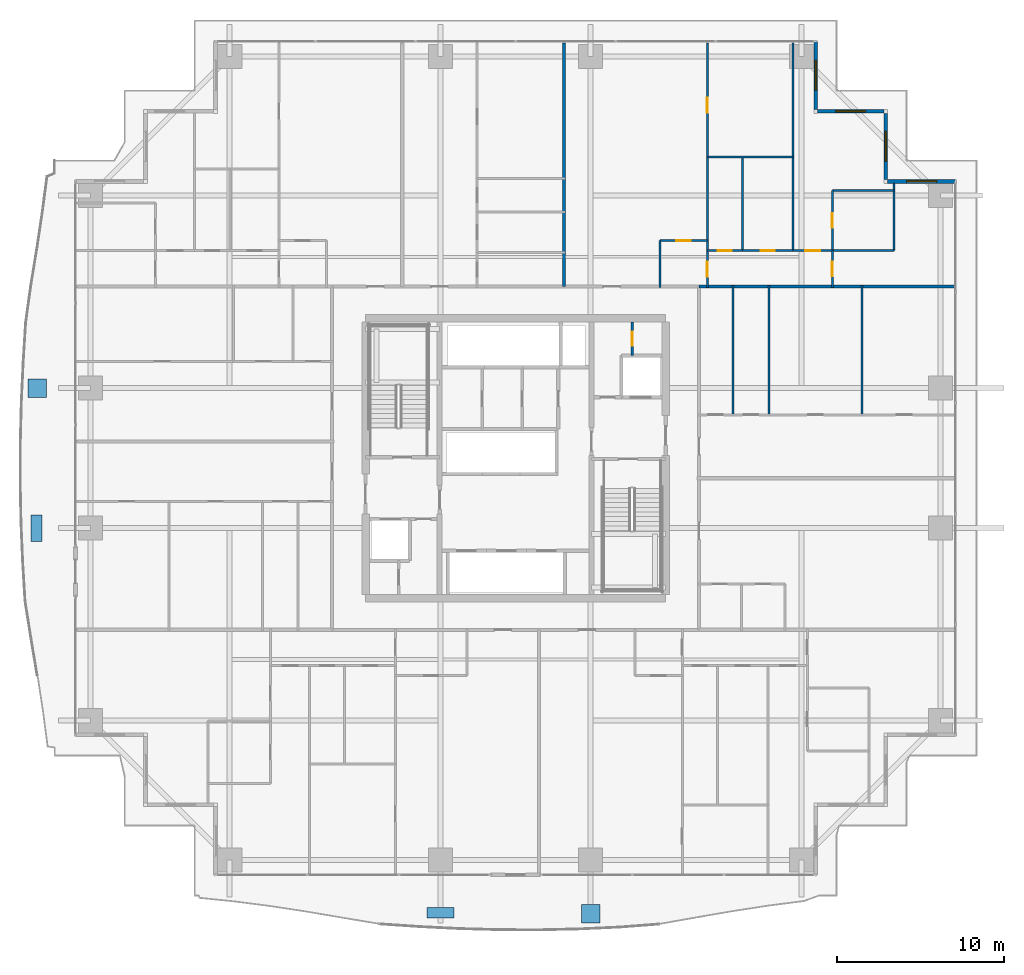
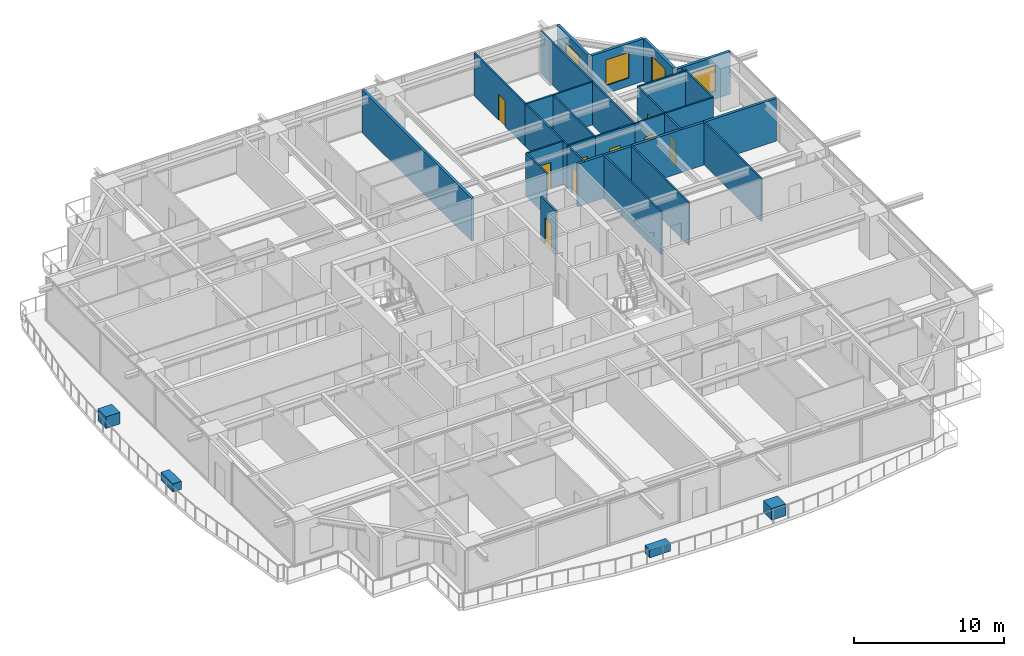
# One storey, part 31 of 39: 26 walls, 9 doors, 4 discrete accessories, 4 windows, 13 openings.
"""IFC4 building model written with IfcOpenShell, lengths in metres."""

from ifc_helpers import new_model, si_unit, direction, frame, frame_2d, origin, origin_2d, place, context, subcontext, project, spatial, rectangle, extrude, source, transform, mapped, material, layer, layer_set, type_object, element, fill, save


model = new_model("IFC4")

# Units and contexts
model_context = context("Model", 3, precision=1e-05, world=origin(), true_north=direction((0.0, 1.0)))
body_context = subcontext(model_context, "Body", "Model", "MODEL_VIEW")
ifc_project = project(units=[si_unit("LENGTHUNIT", "METRE"), si_unit("AREAUNIT", "SQUARE_METRE"), si_unit("VOLUMEUNIT", "CUBIC_METRE"), si_unit("PLANEANGLEUNIT", "RADIAN"), si_unit("MASSUNIT", "GRAM", prefix="KILO")], contexts=[model_context])

# Site, building, storey
site_placement = place(None, origin())
site = spatial("IfcSite", under=ifc_project, at=site_placement, CompositionType="ELEMENT")
building_placement = place(site_placement, origin())
building = spatial("IfcBuilding", under=site, at=building_placement, Name="Serunith Strait Residences", CompositionType="ELEMENT")
storey_placement = place(building_placement, frame((0.0, 0.0, 60.449951171875)))
storey = spatial("IfcBuildingStorey", under=building, at=storey_placement, Name="L14", CompositionType="ELEMENT", Elevation=60.449951171875)

# Wall, opening, window
ifc_material_1 = material(Name="Pale-Champagne Aluminium Insulated Panel", Category="aluminium")
ifc_layer_1 = layer(ifc_material_1, 0.219970703125, Name="Pale-Champagne Aluminium Insulated Panel")
ifc_layer_set_1 = layer_set([ifc_layer_1], Name="Pale-Champagne Aluminium Insulated Panel")
wall_type_1 = type_object("IfcWallType", Name="EW-ALUM-220", PredefinedType="ELEMENTEDWALL", material=ifc_layer_set_1)
wall_1_placement = place(storey_placement, frame((58.800048828125, 41.800048828125, 0.0), z_axis=(0.0, 0.0, 1.0), x_axis=(-1.0, 0.0, 0.0)))
wall_1 = element("IfcWall", 1, at=wall_1_placement, inside=storey, type_object=wall_type_1, Name="L14 Girih Serrated Corner Wall 07", PredefinedType="ELEMENTEDWALL", context=body_context, shape_type="SweptSolid", body=[
    extrude(rectangle(XDim=4.090087890625, YDim=0.219970703125, at=frame_2d((2.044921875, 0.0))), origin(), (0.0, 0.0, 1.0), 3.47509765625),
])
opening_1_placement = place(wall_1_placement, frame((1.14501953125, 0.0, 0.64990234375)))
opening_1 = element("IfcOpeningElement", 2, at=opening_1_placement, cuts=wall_1, Name="Opening W-01", PredefinedType="OPENING", context=body_context, shape_type="SweptSolid", body=[
    extrude(rectangle(XDim=1.800048828125, YDim=2.10009765625, at=frame_2d((0.89990234375, 1.050048828125))), frame((0.0, 0.1201171875, 0.0), z_axis=(0.0, -1.0, 0.0), x_axis=(1.0, 0.0, 0.0)), (0.0, 0.0, 1.0), 0.239990234375),
])
ifc_material_2 = material(Name="Ceramic-Fritted Operable Aluminium Window Glass", Category="aluminium")
window_type = type_object("IfcWindowType", Name="WIN-C1", PartitioningType="DOUBLE_PANEL_VERTICAL", PredefinedType="WINDOW", material=ifc_material_2)
shared_shape_1 = source(origin(), body_context, "Body", "SweptSolid", [
    extrude(rectangle(XDim=1.800048828125, YDim=2.10009765625, at=frame_2d((0.89990234375, 1.050048828125))), frame((0.0, 0.030029296875, 0.0), z_axis=(0.0, -1.0, 0.0), x_axis=(1.0, 0.0, 0.0)), (0.0, 0.0, 1.0), 0.06005859375),
])
window_1_placement = place(opening_1_placement, origin())
window_1 = element("IfcWindow", 3, at=window_1_placement, inside=storey, type_object=window_type, Name="L14 Corner Operable Fritted Window 07", OverallHeight=2.10009765625, OverallWidth=1.800048828125, PartitioningType="SINGLE_PANEL", PredefinedType="WINDOW", context=body_context, shape_type="MappedRepresentation", body=[
    mapped(shared_shape_1, transform((0.0, 0.0, 0.0), scale=1.0)),
])
fill(opening_1, window_1)

wall_2_placement = place(storey_placement, frame((54.60009765625, 41.909912109375, 0.0), z_axis=(0.0, 0.0, 1.0), x_axis=(0.0, 1.0, 0.0)))
wall_2 = element("IfcWall", 4, at=wall_2_placement, inside=storey, type_object=wall_type_1, Name="L14 Girih Serrated Corner Wall 08", PredefinedType="ELEMENTEDWALL", context=body_context, shape_type="SweptSolid", body=[
    extrude(rectangle(XDim=3.97998046875, YDim=0.219970703125, at=frame_2d((1.989990234375, 0.0))), origin(), (0.0, 0.0, 1.0), 3.47509765625),
])
opening_2_placement = place(wall_2_placement, frame((1.090087890625, 0.0, 0.64990234375)))
opening_2 = element("IfcOpeningElement", 5, at=opening_2_placement, cuts=wall_2, Name="Opening W-01", PredefinedType="OPENING", context=body_context, shape_type="SweptSolid", body=[
    extrude(rectangle(XDim=1.800048828125, YDim=2.10009765625, at=frame_2d((0.89990234375, 1.050048828125))), frame((0.0, 0.1201171875, 0.0), z_axis=(0.0, -1.0, 0.0), x_axis=(1.0, 0.0, 0.0)), (0.0, 0.0, 1.0), 0.239990234375),
])
window_2_placement = place(opening_2_placement, origin())
window_2 = element("IfcWindow", 6, at=window_2_placement, inside=storey, type_object=window_type, Name="L14 Corner Operable Fritted Window 08", OverallHeight=2.10009765625, OverallWidth=1.800048828125, PartitioningType="SINGLE_PANEL", PredefinedType="WINDOW", context=body_context, shape_type="MappedRepresentation", body=[
    mapped(shared_shape_1, transform((0.0, 0.0, 0.0), scale=1.0)),
])
fill(opening_2, window_2)

wall_3_placement = place(storey_placement, frame((54.489990234375, 46.0, 0.0), z_axis=(0.0, 0.0, 1.0), x_axis=(-1.0, 0.0, 0.0)))
wall_3 = element("IfcWall", 7, at=wall_3_placement, inside=storey, type_object=wall_type_1, Name="L14 Girih Serrated Corner Wall 09", PredefinedType="ELEMENTEDWALL", context=body_context, shape_type="SweptSolid", body=[
    extrude(rectangle(XDim=3.97998046875, YDim=0.219970703125, at=frame_2d((1.989990234375, 0.0))), origin(), (0.0, 0.0, 1.0), 3.47509765625),
])
opening_3_placement = place(wall_3_placement, frame((1.090087890625, 0.0, 0.64990234375)))
opening_3 = element("IfcOpeningElement", 8, at=opening_3_placement, cuts=wall_3, Name="Opening W-01", PredefinedType="OPENING", context=body_context, shape_type="SweptSolid", body=[
    extrude(rectangle(XDim=1.800048828125, YDim=2.10009765625, at=frame_2d((0.89990234375, 1.050048828125))), frame((0.0, 0.1201171875, 0.0), z_axis=(0.0, -1.0, 0.0), x_axis=(1.0, 0.0, 0.0)), (0.0, 0.0, 1.0), 0.239990234375),
])
window_3_placement = place(opening_3_placement, origin())
window_3 = element("IfcWindow", 9, at=window_3_placement, inside=storey, type_object=window_type, Name="L14 Corner Operable Fritted Window 09", OverallHeight=2.10009765625, OverallWidth=1.800048828125, PartitioningType="SINGLE_PANEL", PredefinedType="WINDOW", context=body_context, shape_type="MappedRepresentation", body=[
    mapped(shared_shape_1, transform((0.0, 0.0, 0.0), scale=1.0)),
])
fill(opening_3, window_3)

wall_4_placement = place(storey_placement, frame((50.39990234375, 46.110107421875, 0.0), z_axis=(0.0, 0.0, 1.0), x_axis=(0.0, 1.0, 0.0)))
wall_4 = element("IfcWall", 10, at=wall_4_placement, inside=storey, type_object=wall_type_1, Name="L14 Girih Serrated Corner Wall 10", PredefinedType="ELEMENTEDWALL", context=body_context, shape_type="SweptSolid", body=[
    extrude(rectangle(XDim=4.08984375, YDim=0.219970703125, at=frame_2d((2.044921875, 0.0))), origin(), (0.0, 0.0, 1.0), 3.47509765625),
])
opening_4_placement = place(wall_4_placement, frame((1.14501953125, 0.0, 0.64990234375)))
opening_4 = element("IfcOpeningElement", 11, at=opening_4_placement, cuts=wall_4, Name="Opening W-01", PredefinedType="OPENING", context=body_context, shape_type="SweptSolid", body=[
    extrude(rectangle(XDim=1.800048828125, YDim=2.10009765625, at=frame_2d((0.89990234375, 1.050048828125))), frame((0.0, 0.1201171875, 0.0), z_axis=(0.0, -1.0, 0.0), x_axis=(1.0, 0.0, 0.0)), (0.0, 0.0, 1.0), 0.239990234375),
])
window_4_placement = place(opening_4_placement, origin())
window_4 = element("IfcWindow", 12, at=window_4_placement, inside=storey, type_object=window_type, Name="L14 Corner Operable Fritted Window 10", OverallHeight=2.10009765625, OverallWidth=1.800048828125, PartitioningType="SINGLE_PANEL", PredefinedType="WINDOW", context=body_context, shape_type="MappedRepresentation", body=[
    mapped(shared_shape_1, transform((0.0, 0.0, 0.0), scale=1.0)),
])
fill(opening_4, window_4)

# Wall, opening, door
ifc_material_3 = material(Name="Fire-rated masonry service closet wall", Category="masonry")
ifc_layer_2 = layer(ifc_material_3, 0.14990234375, Name="Fire-rated masonry service closet wall")
ifc_layer_set_2 = layer_set([ifc_layer_2], Name="Fire-rated masonry service closet wall")
wall_type_2 = type_object("IfcWallType", Name="IW-BOH-150", PredefinedType="PARTITIONING", material=ifc_layer_set_2)
wall_5_placement = place(storey_placement, frame((39.39990234375, 31.35009765625, 0.0), z_axis=(0.0, 0.0, 1.0), x_axis=(0.0, 1.0, 0.0)))
wall_5 = element("IfcWall", 13, at=wall_5_placement, inside=storey, type_object=wall_type_2, Name="L14 Partition Wall 013", PredefinedType="PARTITIONING", context=body_context, shape_type="SweptSolid", body=[
    extrude(rectangle(XDim=2.02490234375, YDim=0.14990234375, at=frame_2d((1.012451171875, 0.0))), origin(), (0.0, 0.0, 1.0), 3.489990234375),
])
opening_5_placement = place(wall_5_placement, frame((0.5869140625, 0.0, 0.0)))
opening_5 = element("IfcOpeningElement", 14, at=opening_5_placement, cuts=wall_5, Name="Opening FD-850", PredefinedType="OPENING", context=body_context, shape_type="SweptSolid", body=[
    extrude(rectangle(XDim=0.85009765625, YDim=2.10009765625, at=frame_2d((0.425048828125, 1.050048828125))), frame((0.0, 0.0849609375, 0.0), z_axis=(0.0, -1.0, 0.0), x_axis=(1.0, 0.0, 0.0)), (0.0, 0.0, 1.0), 0.169921875),
])
ifc_material_4 = material(Name="Powder-coated steel service closet door", Category="steel")
door_type_1 = type_object("IfcDoorType", Name="FD-BOH-850", OperationType="NOTDEFINED", PredefinedType="DOOR", material=ifc_material_4)
shared_shape_2 = source(origin(), body_context, "Body", "SweptSolid", [
    extrude(rectangle(XDim=0.85009765625, YDim=2.10009765625, at=frame_2d((0.425048828125, 1.050048828125))), frame((0.0, 0.02490234375, 0.0), z_axis=(0.0, -1.0, 0.0), x_axis=(1.0, 0.0, 0.0)), (0.0, 0.0, 1.0), 0.050048828125),
])
door_1_placement = place(opening_5_placement, origin())
door_1 = element("IfcDoor", 15, at=door_1_placement, inside=storey, type_object=door_type_1, Name="L14 Janitor Store Door", OperationType="SINGLE_SWING_RIGHT", OverallHeight=2.10009765625, OverallWidth=0.85009765625, PredefinedType="DOOR", context=body_context, shape_type="MappedRepresentation", body=[
    mapped(shared_shape_2, transform((0.0, 0.0, 0.0), scale=1.0)),
])
fill(opening_5, door_1)

ifc_material_5 = material(Name="Lightweight steel-stud gypsum partition", Category="steel")
ifc_layer_3 = layer(ifc_material_5, 0.1201171875, Name="Lightweight steel-stud gypsum partition")
ifc_layer_set_3 = layer_set([ifc_layer_3], Name="Lightweight steel-stud gypsum partition")
wall_type_3 = type_object("IfcWallType", Name="IW-PART-120", PredefinedType="PARTITIONING", material=ifc_layer_set_3)
wall_6_placement = place(storey_placement, frame((41.050048828125, 38.25, 0.0), z_axis=(0.0, 0.0, 1.0), x_axis=(1.0, 0.0, 0.0)))
wall_6 = element("IfcWall", 16, at=wall_6_placement, inside=storey, type_object=wall_type_3, Name="L14 Partition Wall 086", PredefinedType="PARTITIONING", context=body_context, shape_type="SweptSolid", body=[
    extrude(rectangle(XDim=2.849853515625, YDim=0.1201171875, at=frame_2d((1.4248046875, 0.0))), origin(), (0.0, 0.0, 1.0), 3.489990234375),
])
opening_6_placement = place(wall_6_placement, frame((1.0, 0.0, 0.0)))
opening_6 = element("IfcOpeningElement", 17, at=opening_6_placement, cuts=wall_6, Name="Opening D-RM850", PredefinedType="OPENING", context=body_context, shape_type="SweptSolid", body=[
    extrude(rectangle(XDim=0.85009765625, YDim=2.10009765625, at=frame_2d((0.425048828125, 1.050048828125))), frame((0.0, 0.070068359375, 0.0), z_axis=(0.0, -1.0, 0.0), x_axis=(1.0, 0.0, 0.0)), (0.0, 0.0, 1.0), 0.14013671875),
])
ifc_material_6 = material(Name="Engineered timber flush study and kitchen door", Category="wood")
door_type_2 = type_object("IfcDoorType", Name="ID-ROOM-850", OperationType="NOTDEFINED", PredefinedType="DOOR", material=ifc_material_6)
door_2_placement = place(opening_6_placement, origin())
door_2 = element("IfcDoor", 18, at=door_2_placement, inside=storey, type_object=door_type_2, Name="L14 Kitchen 1405 Door", OperationType="SINGLE_SWING_LEFT", OverallHeight=2.10009765625, OverallWidth=0.85009765625, PredefinedType="DOOR", context=body_context, shape_type="MappedRepresentation", body=[
    mapped(shared_shape_2, transform((0.0, 0.0, 0.0), scale=1.0)),
])
fill(opening_6, door_2)

# Wall
wall_7_placement = place(storey_placement, frame((41.050048828125, 38.25, 0.0), z_axis=(0.0, 0.0, 1.0), x_axis=(0.0, -1.0, 0.0)))
element("IfcWall", 19, at=wall_7_placement, inside=storey, type_object=wall_type_3, Name="L14 Partition Wall 087", PredefinedType="PARTITIONING", context=body_context, shape_type="SweptSolid", body=[
    extrude(rectangle(XDim=2.81005859375, YDim=0.1201171875, at=frame_2d((1.405029296875, 0.0))), origin(), (0.0, 0.0, 1.0), 3.489990234375),
])

# Wall, opening, door
wall_8_placement = place(storey_placement, frame((43.89990234375, 37.64990234375, 0.0), z_axis=(0.0, 0.0, 1.0), x_axis=(0.0, -1.0, 0.0)))
wall_8 = element("IfcWall", 20, at=wall_8_placement, inside=storey, type_object=wall_type_3, Name="L14 Partition Wall 088", PredefinedType="PARTITIONING", context=body_context, shape_type="SweptSolid", body=[
    extrude(rectangle(XDim=2.2099609375, YDim=0.1201171875, at=frame_2d((1.10498046875, 0.0))), origin(), (0.0, 0.0, 1.0), 3.489990234375),
])
opening_7_placement = place(wall_8_placement, frame((0.655029296875, 0.0, 0.0)))
opening_7 = element("IfcOpeningElement", 21, at=opening_7_placement, cuts=wall_8, Name="Opening D-RM900", PredefinedType="OPENING", context=body_context, shape_type="SweptSolid", body=[
    extrude(rectangle(XDim=0.89990234375, YDim=2.10009765625, at=frame_2d((0.449951171875, 1.050048828125))), frame((0.0, 0.070068359375, 0.0), z_axis=(0.0, -1.0, 0.0), x_axis=(1.0, 0.0, 0.0)), (0.0, 0.0, 1.0), 0.14013671875),
])
ifc_material_7 = material(Name="Engineered timber flush bedroom door", Category="wood")
door_type_3 = type_object("IfcDoorType", Name="ID-ROOM-900", OperationType="NOTDEFINED", PredefinedType="DOOR", material=ifc_material_7)
shared_shape_3 = source(origin(), body_context, "Body", "SweptSolid", [
    extrude(rectangle(XDim=0.89990234375, YDim=2.10009765625, at=frame_2d((0.449951171875, 1.050048828125))), frame((0.0, 0.02490234375, 0.0), z_axis=(0.0, -1.0, 0.0), x_axis=(1.0, 0.0, 0.0)), (0.0, 0.0, 1.0), 0.050048828125),
])
door_3_placement = place(opening_7_placement, origin())
door_3 = element("IfcDoor", 22, at=door_3_placement, inside=storey, type_object=door_type_3, Name="L14 Hall E 1405 Door", OperationType="SINGLE_SWING_RIGHT", OverallHeight=2.10009765625, OverallWidth=0.89990234375, PredefinedType="DOOR", context=body_context, shape_type="MappedRepresentation", body=[
    mapped(shared_shape_3, transform((0.0, 0.0, 0.0), scale=1.0)),
])
fill(opening_7, door_3)

wall_9_placement = place(storey_placement, frame((43.89990234375, 50.10498046875, 0.0), z_axis=(0.0, 0.0, 1.0), x_axis=(0.0, -1.0, 0.0)))
wall_9 = element("IfcWall", 23, at=wall_9_placement, inside=storey, type_object=wall_type_3, Name="L14 Partition Wall 089", PredefinedType="PARTITIONING", context=body_context, shape_type="SweptSolid", body=[
    extrude(rectangle(XDim=6.85107421875, YDim=0.1201171875, at=frame_2d((3.425537109375, 0.0))), origin(), (0.0, 0.0, 1.0), 3.489990234375),
])
opening_8_placement = place(wall_9_placement, frame((3.27294921875, 0.0, 0.0)))
opening_8 = element("IfcOpeningElement", 24, at=opening_8_placement, cuts=wall_9, Name="Opening D-RM900", PredefinedType="OPENING", context=body_context, shape_type="SweptSolid", body=[
    extrude(rectangle(XDim=0.89990234375, YDim=2.10009765625, at=frame_2d((0.449951171875, 1.050048828125))), frame((0.0, 0.070068359375, 0.0), z_axis=(0.0, -1.0, 0.0), x_axis=(1.0, 0.0, 0.0)), (0.0, 0.0, 1.0), 0.14013671875),
])
door_4_placement = place(opening_8_placement, origin())
door_4 = element("IfcDoor", 25, at=door_4_placement, inside=storey, type_object=door_type_3, Name="L14 Formal Dining Room 1 1405 Door", OperationType="SINGLE_SWING_LEFT", OverallHeight=2.10009765625, OverallWidth=0.89990234375, PredefinedType="DOOR", context=body_context, shape_type="MappedRepresentation", body=[
    mapped(shared_shape_3, transform((0.0, 0.0, 0.0), scale=1.0)),
])
fill(opening_8, door_4)

# Walls
wall_10_placement = place(storey_placement, frame((43.89990234375, 43.251953125, 0.0), z_axis=(0.0, 0.0, 1.0), x_axis=(0.0, -1.0, 0.0)))
element("IfcWall", 26, at=wall_10_placement, inside=storey, type_object=wall_type_3, Name="L14 Partition Wall 090", PredefinedType="PARTITIONING", context=body_context, shape_type="SweptSolid", body=[
    extrude(rectangle(XDim=5.599853515625, YDim=0.1201171875, at=frame_2d((2.7998046875, 0.0))), origin(), (0.0, 0.0, 1.0), 3.489990234375),
])
wall_11_placement = place(storey_placement, frame((43.89990234375, 43.25390625, 0.0), z_axis=(0.0, 0.0, 1.0), x_axis=(1.0, 0.0, 0.0)))
element("IfcWall", 27, at=wall_11_placement, inside=storey, type_object=wall_type_3, Name="L14 Partition Wall 091", PredefinedType="PARTITIONING", context=body_context, shape_type="SweptSolid", body=[
    extrude(rectangle(XDim=5.150146484375, YDim=0.1201171875, at=frame_2d((2.5751953125, 0.0))), origin(), (0.0, 0.0, 1.0), 3.489990234375),
])
wall_12_placement = place(storey_placement, frame((49.050048828125, 50.10498046875, 0.0), z_axis=(0.0, 0.0, 1.0), x_axis=(0.0, -1.0, 0.0)))
element("IfcWall", 28, at=wall_12_placement, inside=storey, type_object=wall_type_3, Name="L14 Partition Wall 092", PredefinedType="PARTITIONING", context=body_context, shape_type="SweptSolid", body=[
    extrude(rectangle(XDim=12.455078125, YDim=0.1201171875, at=frame_2d((6.2275390625, 0.0))), origin(), (0.0, 0.0, 1.0), 3.489990234375),
])
wall_13_placement = place(storey_placement, frame((46.0, 43.25390625, 0.0), z_axis=(0.0, 0.0, 1.0), x_axis=(0.0, -1.0, 0.0)))
element("IfcWall", 29, at=wall_13_placement, inside=storey, type_object=wall_type_3, Name="L14 Partition Wall 093", PredefinedType="PARTITIONING", context=body_context, shape_type="SweptSolid", body=[
    extrude(rectangle(XDim=5.60400390625, YDim=0.1201171875, at=frame_2d((2.802001953125, 0.0))), origin(), (0.0, 0.0, 1.0), 3.489990234375),
])

# Wall, opening, door
wall_14_placement = place(storey_placement, frame((43.89990234375, 37.64990234375, 0.0), z_axis=(0.0, 0.0, 1.0), x_axis=(1.0, 0.0, 0.0)))
wall_14 = element("IfcWall", 30, at=wall_14_placement, inside=storey, type_object=wall_type_3, Name="L14 Partition Wall 094", PredefinedType="PARTITIONING", context=body_context, shape_type="SweptSolid", body=[
    extrude(rectangle(XDim=2.10009765625, YDim=0.1201171875, at=frame_2d((1.050048828125, 0.0))), origin(), (0.0, 0.0, 1.0), 3.489990234375),
])
opening_9_placement = place(wall_14_placement, frame((0.625, 0.0, 0.0)))
opening_9 = element("IfcOpeningElement", 31, at=opening_9_placement, cuts=wall_14, Name="Opening D-BTH850", PredefinedType="OPENING", context=body_context, shape_type="SweptSolid", body=[
    extrude(rectangle(XDim=0.85009765625, YDim=2.10009765625, at=frame_2d((0.425048828125, 1.050048828125))), frame((0.0, 0.070068359375, 0.0), z_axis=(0.0, -1.0, 0.0), x_axis=(1.0, 0.0, 0.0)), (0.0, 0.0, 1.0), 0.14013671875),
])
ifc_material_8 = material(Name="Moisture-resistant timber bathroom door", Category="wood")
door_type_4 = type_object("IfcDoorType", Name="ID-BATH-850", OperationType="NOTDEFINED", PredefinedType="DOOR", material=ifc_material_8)
door_5_placement = place(opening_9_placement, origin())
door_5 = element("IfcDoor", 32, at=door_5_placement, inside=storey, type_object=door_type_4, Name="L14 Bathroom 1405 Door", OperationType="SINGLE_SWING_RIGHT", OverallHeight=2.10009765625, OverallWidth=0.85009765625, PredefinedType="DOOR", context=body_context, shape_type="MappedRepresentation", body=[
    mapped(shared_shape_2, transform((0.0, 0.0, 0.0), scale=1.0)),
])
fill(opening_9, door_5)

wall_15_placement = place(storey_placement, frame((46.001953125, 37.64990234375, 0.0), z_axis=(0.0, 0.0, 1.0), x_axis=(1.0, 0.0, 0.0)))
wall_15 = element("IfcWall", 33, at=wall_15_placement, inside=storey, type_object=wall_type_3, Name="L14 Partition Wall 095", PredefinedType="PARTITIONING", context=body_context, shape_type="SweptSolid", body=[
    extrude(rectangle(XDim=3.048095703125, YDim=0.1201171875, at=frame_2d((1.52392578125, 0.0))), origin(), (0.0, 0.0, 1.0), 3.489990234375),
])
opening_10_placement = place(wall_15_placement, frame((1.09912109375, 0.0, 0.0)))
opening_10 = element("IfcOpeningElement", 34, at=opening_10_placement, cuts=wall_15, Name="Opening D-RM850", PredefinedType="OPENING", context=body_context, shape_type="SweptSolid", body=[
    extrude(rectangle(XDim=0.85009765625, YDim=2.10009765625, at=frame_2d((0.425048828125, 1.050048828125))), frame((0.0, 0.070068359375, 0.0), z_axis=(0.0, -1.0, 0.0), x_axis=(1.0, 0.0, 0.0)), (0.0, 0.0, 1.0), 0.14013671875),
])
door_6_placement = place(opening_10_placement, origin())
door_6 = element("IfcDoor", 35, at=door_6_placement, inside=storey, type_object=door_type_2, Name="L14 Laundry Room 1405 Door", OperationType="SINGLE_SWING_LEFT", OverallHeight=2.10009765625, OverallWidth=0.85009765625, PredefinedType="DOOR", context=body_context, shape_type="MappedRepresentation", body=[
    mapped(shared_shape_2, transform((0.0, 0.0, 0.0), scale=1.0)),
])
fill(opening_10, door_6)

wall_16_placement = place(storey_placement, frame((49.052001953125, 37.64990234375, 0.0), z_axis=(0.0, 0.0, 1.0), x_axis=(1.0, 0.0, 0.0)))
wall_16 = element("IfcWall", 36, at=wall_16_placement, inside=storey, type_object=wall_type_3, Name="L14 Partition Wall 096", PredefinedType="PARTITIONING", context=body_context, shape_type="SweptSolid", body=[
    extrude(rectangle(XDim=2.347900390625, YDim=0.1201171875, at=frame_2d((1.173828125, 0.0))), origin(), (0.0, 0.0, 1.0), 3.489990234375),
])
opening_11_placement = place(wall_16_placement, frame((0.72412109375, 0.0, 0.0)))
opening_11 = element("IfcOpeningElement", 37, at=opening_11_placement, cuts=wall_16, Name="Opening D-RM900", PredefinedType="OPENING", context=body_context, shape_type="SweptSolid", body=[
    extrude(rectangle(XDim=0.89990234375, YDim=2.10009765625, at=frame_2d((0.449951171875, 1.050048828125))), frame((0.0, 0.070068359375, 0.0), z_axis=(0.0, -1.0, 0.0), x_axis=(1.0, 0.0, 0.0)), (0.0, 0.0, 1.0), 0.14013671875),
])
door_7_placement = place(opening_11_placement, origin())
door_7 = element("IfcDoor", 38, at=door_7_placement, inside=storey, type_object=door_type_3, Name="L14 Master Bedroom E 1405 Door", OperationType="SINGLE_SWING_RIGHT", OverallHeight=2.10009765625, OverallWidth=0.89990234375, PredefinedType="DOOR", context=body_context, shape_type="MappedRepresentation", body=[
    mapped(shared_shape_3, transform((0.0, 0.0, 0.0), scale=1.0)),
])
fill(opening_11, door_7)

# Walls
wall_17_placement = place(storey_placement, frame((51.39990234375, 41.261962890625, 0.0), z_axis=(0.0, 0.0, 1.0), x_axis=(1.0, 0.0, 0.0)))
element("IfcWall", 39, at=wall_17_placement, inside=storey, type_object=wall_type_3, Name="L14 Partition Wall 097", PredefinedType="PARTITIONING", context=body_context, shape_type="SweptSolid", body=[
    extrude(rectangle(XDim=3.7001953125, YDim=0.1201171875, at=frame_2d((1.85009765625, 0.0))), origin(), (0.0, 0.0, 1.0), 3.489990234375),
])
wall_18_placement = place(storey_placement, frame((55.10009765625, 41.705078125, 0.0), z_axis=(0.0, 0.0, 1.0), x_axis=(0.0, -1.0, 0.0)))
element("IfcWall", 40, at=wall_18_placement, inside=storey, type_object=wall_type_3, Name="L14 Partition Wall 098", PredefinedType="PARTITIONING", context=body_context, shape_type="SweptSolid", body=[
    extrude(rectangle(XDim=4.05517578125, YDim=0.1201171875, at=frame_2d((2.027587890625, 0.0))), origin(), (0.0, 0.0, 1.0), 3.489990234375),
])
wall_19_placement = place(storey_placement, frame((51.402099609375, 37.64990234375, 0.0), z_axis=(0.0, 0.0, 1.0), x_axis=(1.0, 0.0, 0.0)))
element("IfcWall", 41, at=wall_19_placement, inside=storey, type_object=wall_type_3, Name="L14 Partition Wall 099", PredefinedType="PARTITIONING", context=body_context, shape_type="SweptSolid", body=[
    extrude(rectangle(XDim=3.697998046875, YDim=0.1201171875, at=frame_2d((1.84912109375, 0.0))), origin(), (0.0, 0.0, 1.0), 3.489990234375),
])

# Wall, opening, door
wall_20_placement = place(storey_placement, frame((51.39990234375, 41.261962890625, 0.0), z_axis=(0.0, 0.0, 1.0), x_axis=(0.0, -1.0, 0.0)))
wall_20 = element("IfcWall", 42, at=wall_20_placement, inside=storey, type_object=wall_type_3, Name="L14 Partition Wall 100", PredefinedType="PARTITIONING", context=body_context, shape_type="SweptSolid", body=[
    extrude(rectangle(XDim=3.612060546875, YDim=0.1201171875, at=frame_2d((1.80615234375, 0.0))), origin(), (0.0, 0.0, 1.0), 3.489990234375),
])
opening_12_placement = place(wall_20_placement, frame((1.381103515625, 0.0, 0.0)))
opening_12 = element("IfcOpeningElement", 43, at=opening_12_placement, cuts=wall_20, Name="Opening D-BTH850", PredefinedType="OPENING", context=body_context, shape_type="SweptSolid", body=[
    extrude(rectangle(XDim=0.85009765625, YDim=2.10009765625, at=frame_2d((0.425048828125, 1.050048828125))), frame((0.0, 0.070068359375, 0.0), z_axis=(0.0, -1.0, 0.0), x_axis=(1.0, 0.0, 0.0)), (0.0, 0.0, 1.0), 0.14013671875),
])
door_8_placement = place(opening_12_placement, origin())
door_8 = element("IfcDoor", 44, at=door_8_placement, inside=storey, type_object=door_type_4, Name="L14 En-suite Bathroom E 1405 Door", OperationType="SINGLE_SWING_LEFT", OverallHeight=2.10009765625, OverallWidth=0.85009765625, PredefinedType="DOOR", context=body_context, shape_type="MappedRepresentation", body=[
    mapped(shared_shape_2, transform((0.0, 0.0, 0.0), scale=1.0)),
])
fill(opening_12, door_8)

wall_21_placement = place(storey_placement, frame((51.39990234375, 37.64794921875, 0.0), z_axis=(0.0, 0.0, 1.0), x_axis=(0.0, -1.0, 0.0)))
wall_21 = element("IfcWall", 45, at=wall_21_placement, inside=storey, type_object=wall_type_3, Name="L14 Partition Wall 101", PredefinedType="PARTITIONING", context=body_context, shape_type="SweptSolid", body=[
    extrude(rectangle(XDim=2.2080078125, YDim=0.1201171875, at=frame_2d((1.10400390625, 0.0))), origin(), (0.0, 0.0, 1.0), 3.489990234375),
])
opening_13_placement = place(wall_21_placement, frame((0.678955078125, 0.0, 0.0)))
opening_13 = element("IfcOpeningElement", 46, at=opening_13_placement, cuts=wall_21, Name="Opening D-RM850", PredefinedType="OPENING", context=body_context, shape_type="SweptSolid", body=[
    extrude(rectangle(XDim=0.85009765625, YDim=2.10009765625, at=frame_2d((0.425048828125, 1.050048828125))), frame((0.0, 0.070068359375, 0.0), z_axis=(0.0, -1.0, 0.0), x_axis=(1.0, 0.0, 0.0)), (0.0, 0.0, 1.0), 0.14013671875),
])
door_9_placement = place(opening_13_placement, origin())
door_9 = element("IfcDoor", 47, at=door_9_placement, inside=storey, type_object=door_type_2, Name="L14 Wardrobe E 1405 Door", OperationType="SINGLE_SWING_RIGHT", OverallHeight=2.10009765625, OverallWidth=0.85009765625, PredefinedType="DOOR", context=body_context, shape_type="MappedRepresentation", body=[
    mapped(shared_shape_2, transform((0.0, 0.0, 0.0), scale=1.0)),
])
fill(opening_13, door_9)

# Walls
for number, where, z_axis, x_axis, name in (
    (48, (53.19091796875, 27.800048828125, 0.0), (0.0, 0.0, 1.0), (0.0, 1.0, 0.0), "L14 Partition Wall 119"),
    (49, (47.593017578125, 27.800048828125, 0.0), (0.0, 0.0, 1.0), (0.0, 1.0, 0.0), "L14 Partition Wall 120"),
    (50, (45.449951171875, 27.800048828125, 0.0), (0.0, 0.0, 1.0), (0.0, 1.0, 0.0), "L14 Partition Wall 121"),
):
    element("IfcWall", number, at=place(storey_placement, frame(where, z_axis=z_axis, x_axis=x_axis)), inside=storey, type_object=wall_type_3, Name=name, PredefinedType="PARTITIONING", context=body_context, shape_type="SweptSolid", body=[
        extrude(rectangle(XDim=7.760009765625, YDim=0.1201171875, at=frame_2d((3.8798828125, 0.0))), origin(), (0.0, 0.0, 1.0), 3.489990234375),
    ])
ifc_material_9 = material(Name="Twin-stud acoustic gypsum board partition")
ifc_layer_4 = layer(ifc_material_9, 0.199951171875, Name="Twin-stud acoustic gypsum board partition")
ifc_layer_set_4 = layer_set([ifc_layer_4], Name="Twin-stud acoustic gypsum board partition")
wall_type_4 = type_object("IfcWallType", Name="IW-PARTY-200", PredefinedType="PARTITIONING", material=ifc_layer_set_4)
wall_22_placement = place(storey_placement, frame((35.300048828125, 35.5, 0.0), z_axis=(0.0, 0.0, 1.0), x_axis=(0.0, 1.0, 0.0)))
element("IfcWall", 51, at=wall_22_placement, inside=storey, type_object=wall_type_4, Name="L14 Partition Wall 019", PredefinedType="PARTITIONING", context=body_context, shape_type="SweptSolid", body=[
    extrude(rectangle(XDim=14.617919921875, YDim=0.199951171875, at=frame_2d((7.30908203125, 0.0))), origin(), (0.0, 0.0, 1.0), 3.489990234375),
])
wall_23_placement = place(storey_placement, frame((43.39990234375, 35.5, 0.0), z_axis=(0.0, 0.0, 1.0), x_axis=(1.0, 0.0, 0.0)))
element("IfcWall", 52, at=wall_23_placement, inside=storey, type_object=wall_type_4, Name="L14 Partition Wall 025", PredefinedType="PARTITIONING", context=body_context, shape_type="SweptSolid", body=[
    extrude(rectangle(XDim=15.318115234375, YDim=0.199951171875, at=frame_2d((7.6591796875, 0.0))), origin(), (0.0, 0.0, 1.0), 3.489990234375),
])

# Discrete accessories
ifc_material_10 = material(Name="GFRC Root-Anchored Structural Planter")
discrete_accessory_type_1 = type_object("IfcDiscreteAccessoryType", Name="ACC-PLANTER-TREE", PredefinedType="USERDEFINED", material=ifc_material_10)
shared_shape_4 = source(origin(), body_context, "Body", "SweptSolid", [
    extrude(rectangle(XDim=1.10009765625, YDim=1.10009765625, at=origin_2d()), origin(), (0.0, 0.0, 1.0), 0.949951171875),
])
for number, where, z_axis, x_axis, name in (
    (53, (36.89990234375, -2.121337890625, -0.0498046875), (0.0, 0.0, 1.0), (1.0, 0.0, 0.0), "L14 Vertical-Forest Tree Planter 03"),
    (54, (3.701171875, 29.39990234375, -0.0498046875), (0.0, 0.0, 1.0), (0.0, -1.0, 0.0), "L14 Vertical-Forest Tree Planter 15"),
):
    element("IfcDiscreteAccessory", number, at=place(storey_placement, frame(where, z_axis=z_axis, x_axis=x_axis)), inside=storey, type_object=discrete_accessory_type_1, Name=name, ObjectType="PLANTER", PredefinedType="USERDEFINED", context=body_context, shape_type="MappedRepresentation", body=[
        mapped(shared_shape_4, transform((0.0, 0.0, 0.0), scale=1.0)),
    ])
ifc_material_11 = material(Name="GFRC Irrigated Shrub Trough Planter")
discrete_accessory_type_2 = type_object("IfcDiscreteAccessoryType", Name="ACC-PLANTER-SHRUB", PredefinedType="USERDEFINED", material=ifc_material_11)
shared_shape_5 = source(origin(), body_context, "Body", "SweptSolid", [
    extrude(rectangle(XDim=1.60009765625, YDim=0.64990234375, at=origin_2d()), origin(), (0.0, 0.0, 1.0), 0.64990234375),
])
for number, where, z_axis, x_axis, name in (
    (55, (27.89990234375, -2.074462890625, -0.0498046875), (0.0, 0.0, 1.0), (1.0, 0.0, 0.0), "L14 Vertical-Forest Shrub Planter 02"),
    (56, (3.6572265625, 21.0, -0.0498046875), (0.0, 0.0, 1.0), (0.0, -1.0, 0.0), "L14 Vertical-Forest Shrub Planter 14"),
):
    element("IfcDiscreteAccessory", number, at=place(storey_placement, frame(where, z_axis=z_axis, x_axis=x_axis)), inside=storey, type_object=discrete_accessory_type_2, Name=name, ObjectType="PLANTER", PredefinedType="USERDEFINED", context=body_context, shape_type="MappedRepresentation", body=[
        mapped(shared_shape_5, transform((0.0, 0.0, 0.0), scale=1.0)),
    ])

save(model, "model.ifc")
